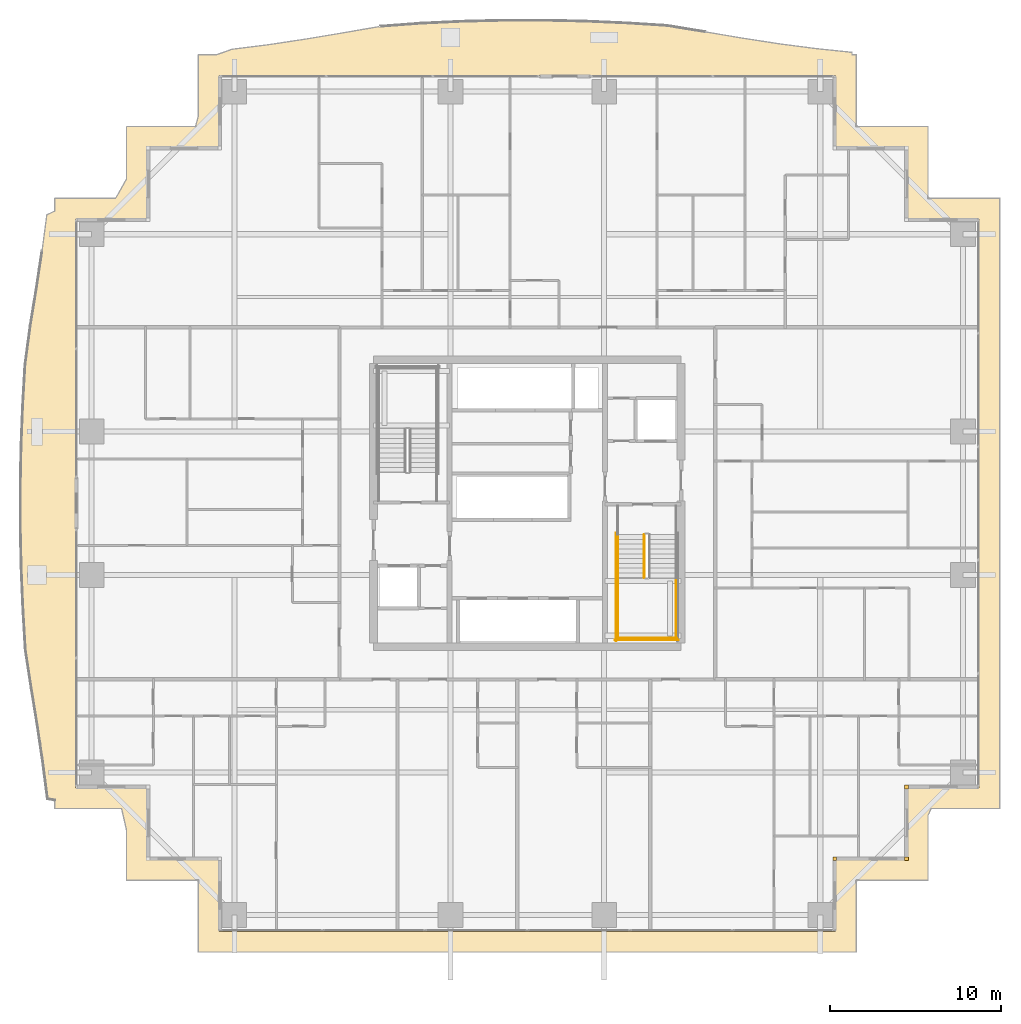
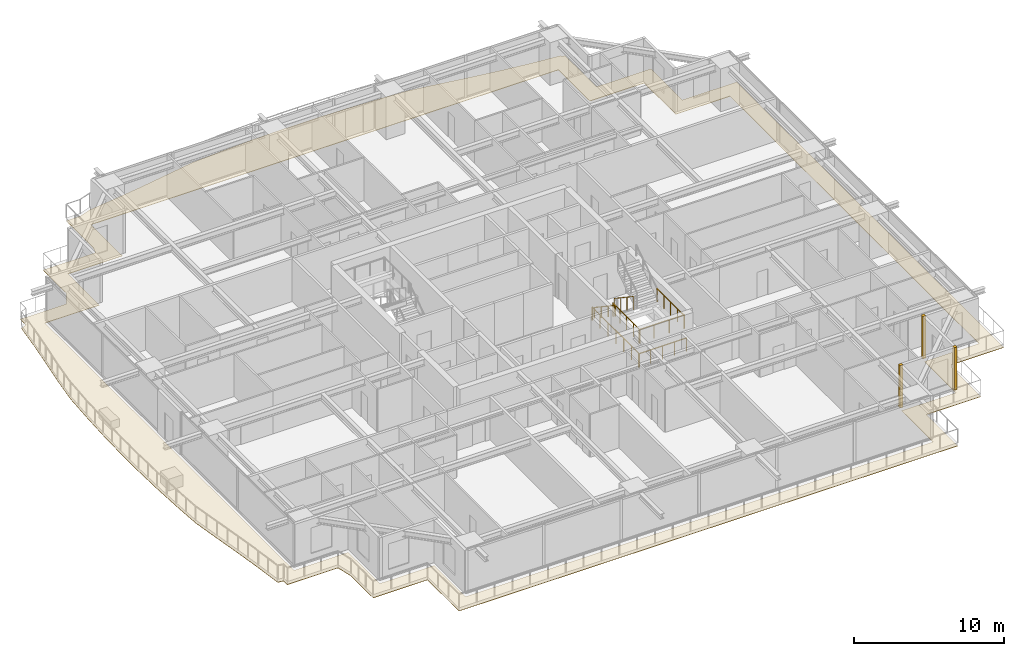
# One storey, part 32 of 35: 7 railings, 4 coverings.
"""IFC4 building model written with IfcOpenShell, lengths in metres."""

from ifc_helpers import new_model, si_unit, direction, frame, origin, origin_2d, place, context, subcontext, project, spatial, polyline, rectangle, circle, outline, extrude, source, transform, mapped, material, layer, layer_set, type_object, element, save


model = new_model("IFC4")

# Units and contexts
model_context = context("Model", 3, precision=1e-05, world=origin(), true_north=direction((0.0, 1.0)))
body_context = subcontext(model_context, "Body", "Model", "MODEL_VIEW")
ifc_project = project(units=[si_unit("LENGTHUNIT", "METRE"), si_unit("AREAUNIT", "SQUARE_METRE"), si_unit("VOLUMEUNIT", "CUBIC_METRE"), si_unit("PLANEANGLEUNIT", "RADIAN"), si_unit("MASSUNIT", "GRAM", prefix="KILO")], contexts=[model_context])

# Site, building, storey
site_placement = place(None, origin())
site = spatial("IfcSite", under=ifc_project, at=site_placement, CompositionType="ELEMENT")
building_placement = place(site_placement, origin())
building = spatial("IfcBuilding", under=site, at=building_placement, Name="Serunith Strait Residences", CompositionType="ELEMENT")
storey_placement = place(building_placement, frame((0.0, 0.0, 56.699951171875)))
storey = spatial("IfcBuildingStorey", under=building, at=storey_placement, Name="L13", CompositionType="ELEMENT", Elevation=56.699951171875)

# Covering
ifc_material_1 = material(Name="Golden Teak Exterior Timber Boarding", Category="wood")
ifc_layer_1 = layer(ifc_material_1, 0.034912109375, Name="Golden Teak Exterior Timber Boarding")
ifc_layer_set_1 = layer_set([ifc_layer_1], Name="Golden Teak Exterior Timber Boarding")
covering_type_1 = type_object("IfcCoveringType", Name="COV-TEAK-SOFFIT", PredefinedType="CEILING", material=ifc_layer_set_1)
covering_placement = place(storey_placement, frame((0.0, 0.0, -0.324951171875)))
element("IfcCovering", 1, at=covering_placement, inside=storey, type_object=covering_type_1, Name="L13 Golden-Teak Balcony Soffit Lining", PredefinedType="CEILING", context=body_context, shape_type="SweptSolid", body=[
    extrude(outline(polyline([(4.739990234375, 7.830078125), (4.31982421875, 7.898193359375), (4.046630859375, 10.02978515625), (3.726806640625, 12.184814453125), (3.3720703125, 14.378662109375), (3.024169921875, 16.632080078125), (2.885498046875, 18.98583984375), (2.785400390625, 21.3671875), (2.731689453125, 23.76708984375), (2.728515625, 26.174072265625), (2.77587890625, 28.57568359375), (2.8701171875, 30.960693359375), (3.00341796875, 33.3193359375), (3.310302734375, 35.594482421875), (3.66796875, 37.797607421875), (3.994384765625, 39.958740234375), (4.275390625, 42.09423828125), (4.739990234375, 42.3076171875), (4.739990234375, 43.06005859375), (8.30126953125, 43.06005859375), (8.93994140625, 44.177978515625), (8.93994140625, 47.260009765625), (12.981689453125, 47.260009765625), (13.139892578125, 47.857666015625), (13.139892578125, 51.4599609375), (14.21484375, 51.4599609375), (15.10595703125, 51.779052734375), (17.231689453125, 52.046630859375), (19.377197265625, 52.368408203125), (21.560546875, 52.734619140625), (23.80078125, 53.11962890625), (26.1533203125, 53.29638671875), (28.544921875, 53.407470703125), (30.95849609375, 53.46728515625), (33.380126953125, 53.470947265625), (35.795654296875, 53.418212890625), (38.19140625, 53.314208984375), (40.55712890625, 53.16748046875), (42.814208984375, 52.7998046875), (45.007080078125, 52.42919921875), (47.15869140625, 52.099365234375), (49.28759765625, 51.822509765625), (51.40771484375, 51.599609375), (51.40673828125, 51.4599609375), (51.659912109375, 51.4599609375), (51.659912109375, 47.260009765625), (55.860107421875, 47.260009765625), (55.860107421875, 43.06005859375), (60.06005859375, 43.06005859375), (60.06005859375, 7.340087890625), (56.041259765625, 7.340087890625), (55.860107421875, 6.9423828125), (55.860107421875, 3.139892578125), (51.659912109375, 3.139892578125), (51.659912109375, -1.06005859375), (13.139892578125, -1.06005859375), (13.139892578125, 3.139892578125), (8.93994140625, 3.139892578125), (8.93994140625, 6.08251953125), (8.65087890625, 7.340087890625), (4.739990234375, 7.340087890625), (4.739990234375, 7.830078125)]), holes=[polyline([(50.455078125, 0.14501953125), (50.455078125, 4.344970703125), (54.655029296875, 4.344970703125), (54.655029296875, 8.544921875), (58.85498046875, 8.544921875), (58.85498046875, 41.85498046875), (54.655029296875, 41.85498046875), (54.655029296875, 46.054931640625), (50.455078125, 46.054931640625), (50.455078125, 50.2548828125), (14.344970703125, 50.2548828125), (14.344970703125, 46.054931640625), (10.14501953125, 46.054931640625), (10.14501953125, 41.85498046875), (5.945068359375, 41.85498046875), (5.945068359375, 8.544921875), (10.14501953125, 8.544921875), (10.14501953125, 4.344970703125), (14.344970703125, 4.344970703125), (14.344970703125, 0.14501953125), (50.455078125, 0.14501953125)])]), origin(), (0.0, 0.0, 1.0), 0.034912109375),
])

# Railings
ifc_material_2 = material(Name="Brushed stainless steel 316L", Category="steel")
railing_type_1 = type_object("IfcRailingType", Name="RLG-STAIR-GUARD", PredefinedType="BALUSTRADE", material=ifc_material_2)
railing_1_placement = place(storey_placement, frame((39.25, 23.3701171875, 0.1875)))
element("IfcRailing", 2, at=railing_1_placement, inside=storey, type_object=railing_type_1, Name="L13 ST-2 stair guard 1", PredefinedType="BALUSTRADE", context=body_context, shape_type="SweptSolid", body=[
    extrude(circle(Radius=0.02392578125, at=origin_2d()), frame((0.0, -0.001708984375, 1.0771484375), z_axis=(0.0, -0.830909170722, 0.55640807867), x_axis=(1.0, 0.0, 0.0)), (0.0, 0.0, 1.0), 3.02880859375),
    extrude(circle(Radius=0.02099609375, at=origin_2d()), origin(), (0.0, 0.0, 1.0), 1.050048828125),
    extrude(circle(Radius=0.02099609375, at=origin_2d()), frame((0.0, -0.840087890625, 0.5625)), (0.0, 0.0, 1.0), 1.050048828125),
    extrude(circle(Radius=0.02099609375, at=origin_2d()), frame((0.0, -1.679931640625, 1.125)), (0.0, 0.0, 1.0), 1.050048828125),
    extrude(circle(Radius=0.02099609375, at=origin_2d()), frame((0.0, -2.52001953125, 1.6875)), (0.0, 0.0, 1.0), 1.050048828125),
])
for number, where, name in (
    (3, (37.699951171875, 20.85009765625, 1.875), "L13 ST-2 stair guard 3"),
    (4, (41.10009765625, 20.85009765625, 1.875), "L13 ST-2 stair guard 4"),
):
    element("IfcRailing", number, at=place(storey_placement, frame(where)), inside=storey, type_object=railing_type_1, Name=name, PredefinedType="BALUSTRADE", context=body_context, shape_type="SweptSolid", body=[
        extrude(circle(Radius=0.02392578125, at=origin_2d()), frame((0.0, -0.001953125, 1.076171875), z_axis=(0.0, -1.0, 0.0), x_axis=(1.0, 0.0, 0.0)), (0.0, 0.0, 1.0), 3.59619140625),
        extrude(circle(Radius=0.02099609375, at=origin_2d()), origin(), (0.0, 0.0, 1.0), 1.050048828125),
        extrude(circle(Radius=0.02099609375, at=origin_2d()), frame((0.0, -0.89990234375, 0.0)), (0.0, 0.0, 1.0), 1.050048828125),
        extrude(circle(Radius=0.02099609375, at=origin_2d()), frame((0.0, -1.800048828125, 0.0)), (0.0, 0.0, 1.0), 1.050048828125),
        extrude(circle(Radius=0.02099609375, at=origin_2d()), frame((0.0, -2.7001953125, 0.0)), (0.0, 0.0, 1.0), 1.050048828125),
        extrude(circle(Radius=0.02099609375, at=origin_2d()), frame((0.0, -3.60009765625, 0.0)), (0.0, 0.0, 1.0), 1.050048828125),
    ])
railing_2_placement = place(storey_placement, frame((37.64990234375, 17.300048828125, 1.875)))
element("IfcRailing", 5, at=railing_2_placement, inside=storey, type_object=railing_type_1, Name="L13 ST-2 stair guard 5", PredefinedType="BALUSTRADE", context=body_context, shape_type="SweptSolid", body=[
    extrude(circle(Radius=0.02392578125, at=origin_2d()), frame((0.001953125, 0.0, 1.076171875), z_axis=(1.0, 0.0, 0.0), x_axis=(0.0, 1.0, 0.0)), (0.0, 0.0, 1.0), 3.49609375),
    extrude(circle(Radius=0.02099609375, at=origin_2d()), origin(), (0.0, 0.0, 1.0), 1.050048828125),
    extrude(circle(Radius=0.02099609375, at=origin_2d()), frame((1.166748046875, 0.0, 0.0)), (0.0, 0.0, 1.0), 1.050048828125),
    extrude(circle(Radius=0.02099609375, at=origin_2d()), frame((2.333251953125, 0.0, 0.0)), (0.0, 0.0, 1.0), 1.050048828125),
    extrude(circle(Radius=0.02099609375, at=origin_2d()), frame((3.5, 0.0, 0.0)), (0.0, 0.0, 1.0), 1.050048828125),
])
railing_3_placement = place(storey_placement, frame((37.60009765625, 23.469970703125, 0.0)))
element("IfcRailing", 6, at=railing_3_placement, inside=storey, type_object=railing_type_1, Name="L13 ST-2 stair guard 10", PredefinedType="BALUSTRADE", context=body_context, shape_type="SweptSolid", body=[
    extrude(circle(Radius=0.02392578125, at=origin_2d()), frame((0.0, -0.001953125, 1.076171875), z_axis=(0.0, -1.0, 0.0), x_axis=(1.0, 0.0, 0.0)), (0.0, 0.0, 1.0), 6.316162109375),
    extrude(circle(Radius=0.02099609375, at=origin_2d()), origin(), (0.0, 0.0, 1.0), 1.050048828125),
    extrude(circle(Radius=0.02099609375, at=origin_2d()), frame((0.0, -1.05322265625, 0.0)), (0.0, 0.0, 1.0), 1.050048828125),
    extrude(circle(Radius=0.02099609375, at=origin_2d()), frame((0.0, -2.106689453125, 0.0)), (0.0, 0.0, 1.0), 1.050048828125),
    extrude(circle(Radius=0.02099609375, at=origin_2d()), frame((0.0, -3.16015625, 0.0)), (0.0, 0.0, 1.0), 1.050048828125),
    extrude(circle(Radius=0.02099609375, at=origin_2d()), frame((0.0, -4.21337890625, 0.0)), (0.0, 0.0, 1.0), 1.050048828125),
    extrude(circle(Radius=0.02099609375, at=origin_2d()), frame((0.0, -5.2666015625, 0.0)), (0.0, 0.0, 1.0), 1.050048828125),
    extrude(circle(Radius=0.02099609375, at=origin_2d()), frame((0.0, -6.320068359375, 0.0)), (0.0, 0.0, 1.0), 1.050048828125),
])
railing_4_placement = place(storey_placement, frame((37.550048828125, 17.199951171875, 0.0)))
element("IfcRailing", 7, at=railing_4_placement, inside=storey, type_object=railing_type_1, Name="L13 ST-2 stair guard 12", PredefinedType="BALUSTRADE", context=body_context, shape_type="SweptSolid", body=[
    extrude(circle(Radius=0.02392578125, at=origin_2d()), frame((0.001953125, 0.0, 1.076171875), z_axis=(1.0, 0.0, 0.0), x_axis=(0.0, 1.0, 0.0)), (0.0, 0.0, 1.0), 3.696044921875),
    extrude(circle(Radius=0.02099609375, at=origin_2d()), origin(), (0.0, 0.0, 1.0), 1.050048828125),
    extrude(circle(Radius=0.02099609375, at=origin_2d()), frame((0.925048828125, 0.0, 0.0)), (0.0, 0.0, 1.0), 1.050048828125),
    extrude(circle(Radius=0.02099609375, at=origin_2d()), frame((1.85009765625, 0.0, 0.0)), (0.0, 0.0, 1.0), 1.050048828125),
    extrude(circle(Radius=0.02099609375, at=origin_2d()), frame((2.77490234375, 0.0, 0.0)), (0.0, 0.0, 1.0), 1.050048828125),
    extrude(circle(Radius=0.02099609375, at=origin_2d()), frame((3.699951171875, 0.0, 0.0)), (0.0, 0.0, 1.0), 1.050048828125),
])
railing_type_2 = type_object("IfcRailingType", Name="RLG-STAIR-HR", PredefinedType="HANDRAIL", material=ifc_material_2)
railing_5_placement = place(storey_placement, frame((37.699951171875, 23.3701171875, 0.1875)))
element("IfcRailing", 8, at=railing_5_placement, inside=storey, type_object=railing_type_2, Name="L13 ST-2 stair handrail 1", PredefinedType="HANDRAIL", context=body_context, shape_type="SweptSolid", body=[
    extrude(circle(Radius=0.02392578125, at=origin_2d()), frame((0.0, -0.001708984375, 0.876953125), z_axis=(0.0, -0.830208209119, 0.557453432594), x_axis=(1.0, 0.0, 0.0)), (0.0, 0.0, 1.0), 3.36865234375),
    extrude(circle(Radius=0.02099609375, at=origin_2d()), origin(), (0.0, 0.0, 1.0), 0.849853515625),
    extrude(circle(Radius=0.02099609375, at=origin_2d()), frame((0.0, -0.933349609375, 0.626708984375)), (0.0, 0.0, 1.0), 0.849853515625),
    extrude(circle(Radius=0.02099609375, at=origin_2d()), frame((0.0, -1.86669921875, 1.25341796875)), (0.0, 0.0, 1.0), 0.849853515625),
    extrude(circle(Radius=0.02099609375, at=origin_2d()), frame((0.0, -2.800048828125, 1.880126953125)), (0.0, 0.0, 1.0), 0.849853515625),
])

# Coverings
ifc_material_3 = material(Name="Pale-Champagne Anodised Aluminium", Category="aluminium")
ifc_layer_2 = layer(ifc_material_3, 0.219970703125, Name="Pale-Champagne Anodised Aluminium")
ifc_layer_set_2 = layer_set([ifc_layer_2], Name="Pale-Champagne Anodised Aluminium")
covering_type_2 = type_object("IfcCoveringType", Name="COV-CORN-TRIM", PredefinedType="CLADDING", material=ifc_layer_set_2)
shared_shape = source(origin(), body_context, "Body", "SweptSolid", [
    extrude(rectangle(XDim=0.221923828125, YDim=0.221923828125, at=origin_2d()), origin(), (0.0, 0.0, 1.0), 3.47509765625),
])
for number, where, z_axis, x_axis, name in (
    (9, (50.39990234375, 4.39990234375, 0.0), (0.0, 0.0, 1.0), (1.0, 0.0, 0.0), "L13 Girih Serrated Corner Trim Post 02"),
    (10, (54.60009765625, 4.39990234375, 0.0), (0.0, 0.0, 1.0), (1.0, 0.0, 0.0), "L13 Girih Serrated Corner Trim Post 03"),
    (11, (54.60009765625, 8.60009765625, 0.0), (0.0, 0.0, 1.0), (1.0, 0.0, 0.0), "L13 Girih Serrated Corner Trim Post 04"),
):
    element("IfcCovering", number, at=place(storey_placement, frame(where, z_axis=z_axis, x_axis=x_axis)), inside=storey, type_object=covering_type_2, Name=name, PredefinedType="CLADDING", context=body_context, shape_type="MappedRepresentation", body=[
        mapped(shared_shape, transform((0.0, 0.0, 0.0), scale=1.0)),
    ])

save(model, "model.ifc")
